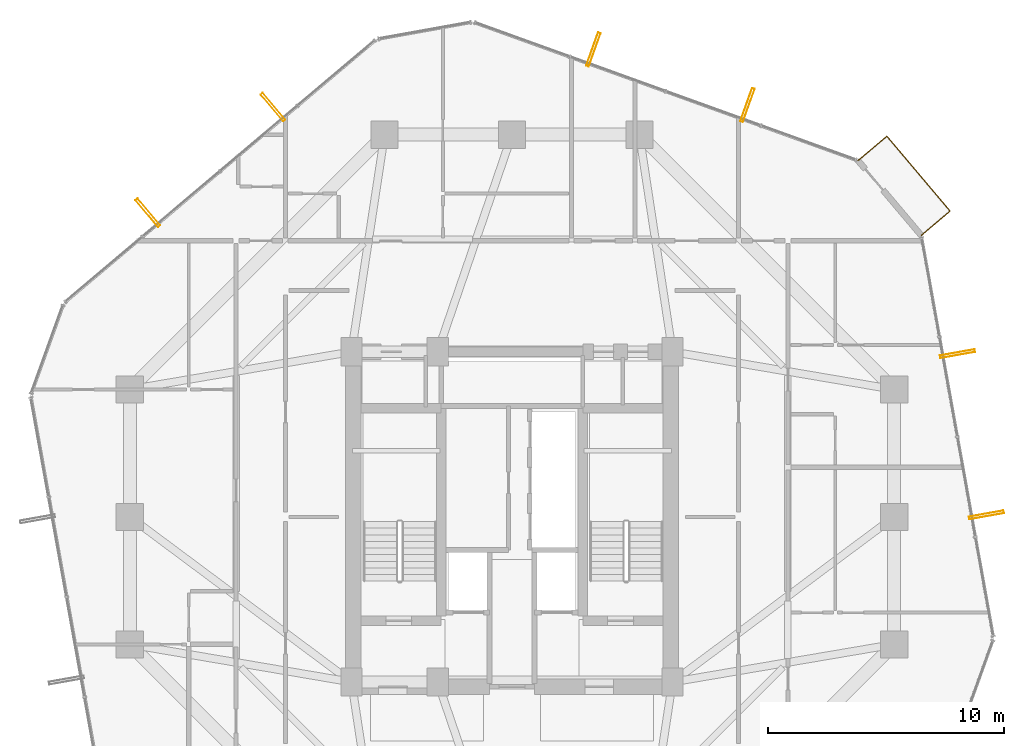
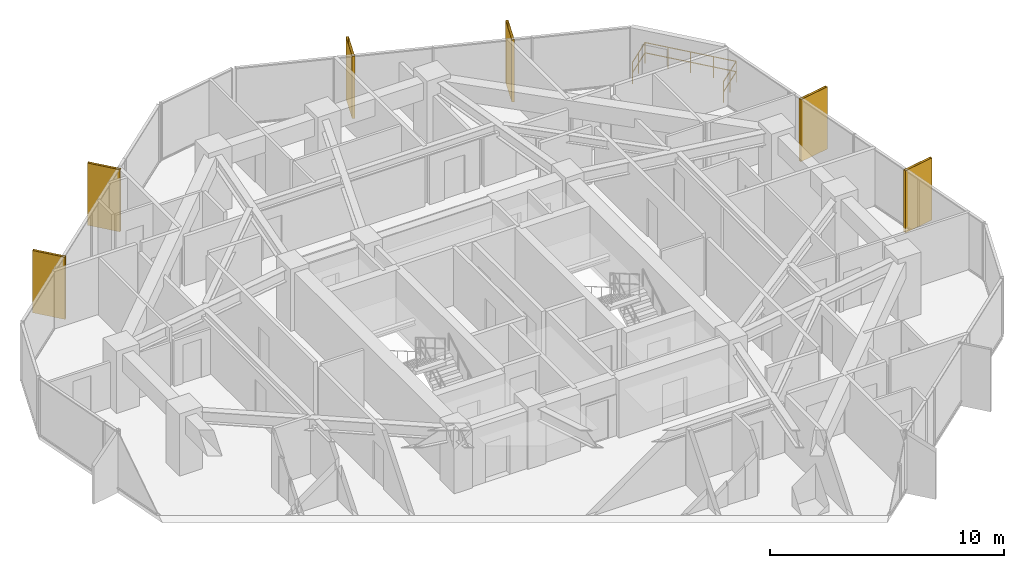
# One storey, part 36 of 36: 6 shading devices, 1 railing.
"""IFC4 building model written with IfcOpenShell, lengths in metres."""

from ifc_helpers import new_model, si_unit, direction, frame, origin, origin_2d, place, context, subcontext, project, spatial, hollow_rectangle, circle, extrude, material, material_profile, profile_set, type_object, element, save


model = new_model("IFC4")

# Units and contexts
model_context = context("Model", 3, precision=1e-05, world=origin(), true_north=direction((0.0, 1.0)))
body_context = subcontext(model_context, "Body", "Model", "MODEL_VIEW")
ifc_project = project(units=[si_unit("LENGTHUNIT", "METRE"), si_unit("AREAUNIT", "SQUARE_METRE"), si_unit("VOLUMEUNIT", "CUBIC_METRE"), si_unit("PLANEANGLEUNIT", "RADIAN"), si_unit("MASSUNIT", "GRAM", prefix="KILO")], contexts=[model_context])

# Site, building, storey
site_placement = place(None, origin())
site = spatial("IfcSite", under=ifc_project, at=site_placement, CompositionType="ELEMENT")
building_placement = place(site_placement, origin())
building = spatial("IfcBuilding", under=site, at=building_placement, Name="Veraguas Prism Commons", CompositionType="ELEMENT")
storey_placement = place(building_placement, frame((0.0, 0.0, 163.050048828125)))
storey = spatial("IfcBuildingStorey", under=building, at=storey_placement, Name="L46", CompositionType="ELEMENT", Elevation=163.050048828125)

# Shading devices
ifc_material_1 = material(Name="Anodised aluminium EN AW-6063 T6", Category="aluminium")
ifc_material_profile = material_profile(ifc_material_1, hollow_rectangle(XDim=0.1201171875, YDim=1.489990234375, WallThickness=0.006103515625, at=origin_2d()), Name="FIN120X1490X6")
ifc_profile_set = profile_set([ifc_material_profile], Name="Anodised aluminium EN AW-6063 T6")
shading_device_type = type_object("IfcShadingDeviceType", Name="Deep Pale-Metal Vertical Solar Fin 120x1490", PredefinedType="USERDEFINED", material=ifc_profile_set)
for number, where, z_axis, x_axis, name in (
    (1, (33.981201171875, 41.457275390625, -0.22998046875), (0.0, 0.0, 1.0), (-0.940761878011, 0.339067970887, 0.0), "Vertical Pale-Metal Solar Fin L46-F1A"),
    (2, (27.45068359375, 43.81103515625, -0.22998046875), (0.0, 0.0, 1.0), (-0.940761878011, 0.339067970887, 0.0), "Vertical Pale-Metal Solar Fin L46-F1B"),
    (3, (13.872314453125, 41.372802734375, -0.22998046875), (0.0, 0.0, 1.0), (-0.764020163262, -0.645192366763, 0.0), "Vertical Pale-Metal Solar Fin L46-F2A"),
    (4, (8.568603515625, 36.89404296875, -0.22998046875), (0.0, 0.0, 1.0), (-0.764020163262, -0.645192366763, 0.0), "Vertical Pale-Metal Solar Fin L46-F2B"),
    (5, (44.109130859375, 24.08447265625, -0.22998046875), (0.0, 0.0, 1.0), (-0.176739462608, 0.984257670713, 0.0), "Vertical Pale-Metal Solar Fin L46-F6A"),
    (6, (42.882080078125, 30.9169921875, -0.22998046875), (0.0, 0.0, 1.0), (-0.176739462608, 0.984257670713, 0.0), "Vertical Pale-Metal Solar Fin L46-F6B"),
):
    element("IfcShadingDevice", number, at=place(storey_placement, frame(where, z_axis=z_axis, x_axis=x_axis)), inside=storey, type_object=shading_device_type, Name=name, ObjectType="FIN", PredefinedType="USERDEFINED", context=body_context, shape_type="SweptSolid", body=[
        extrude(hollow_rectangle(XDim=0.1201171875, YDim=1.489990234375, WallThickness=0.006103515625, at=origin_2d()), origin(), (0.0, 0.0, 1.0), 3.25),
    ])

# Railing
ifc_material_2 = material(Name="Stainless steel AISI 316", Category="steel")
railing_type = type_object("IfcRailingType", Name="Loggia and Sky Pool Glazed Balustrade 1120", PredefinedType="BALUSTRADE", material=ifc_material_2)
railing_placement = place(storey_placement, frame((41.346923828125, 35.930908203125, 0.0)))
element("IfcRailing", 7, at=railing_placement, inside=storey, type_object=railing_type, Name="Recessed Corner Loggia L46-C1 Guard", PredefinedType="BALUSTRADE", context=body_context, shape_type="SweptSolid", body=[
    extrude(circle(Radius=0.02392578125, at=origin_2d()), frame((0.0, 0.0, 1.09619140625), z_axis=(0.764039945018, 0.645168940989, 0.0), x_axis=(-0.645168940989, 0.764039945018, 0.0)), (0.0, 0.0, 1.0), 1.599853515625),
    extrude(circle(Radius=0.02392578125, at=origin_2d()), frame((0.0, 0.0, 0.56005859375), z_axis=(0.764039945018, 0.645168940989, 0.0), x_axis=(-0.645168940989, 0.764039945018, 0.0)), (0.0, 0.0, 1.0), 1.599853515625),
    extrude(circle(Radius=0.02392578125, at=origin_2d()), frame((1.222412109375, 1.0322265625, 1.09619140625), z_axis=(-0.645206743838, 0.764008022017, 0.0), x_axis=(-0.764008022017, -0.645206743838, 0.0)), (0.0, 0.0, 1.0), 4.1533203125),
    extrude(circle(Radius=0.02392578125, at=origin_2d()), frame((1.222412109375, 1.0322265625, 0.56005859375), z_axis=(-0.645206743838, 0.764008022017, 0.0), x_axis=(-0.764008022017, -0.645206743838, 0.0)), (0.0, 0.0, 1.0), 4.1533203125),
    extrude(circle(Radius=0.02392578125, at=origin_2d()), frame((-1.457275390625, 4.205322265625, 1.09619140625), z_axis=(-0.764039945018, -0.645168940989, 0.0), x_axis=(0.645168940989, -0.764039945018, 0.0)), (0.0, 0.0, 1.0), 1.599853515625),
    extrude(circle(Radius=0.02392578125, at=origin_2d()), frame((-1.457275390625, 4.205322265625, 0.56005859375), z_axis=(-0.764039945018, -0.645168940989, 0.0), x_axis=(0.645168940989, -0.764039945018, 0.0)), (0.0, 0.0, 1.0), 1.599853515625),
    extrude(circle(Radius=0.02099609375, at=origin_2d()), origin(), (0.0, 0.0, 1.0), 1.072021484375),
    extrude(circle(Radius=0.02099609375, at=origin_2d()), frame((0.611328125, 0.51611328125, 0.0)), (0.0, 0.0, 1.0), 1.072021484375),
    extrude(circle(Radius=0.02099609375, at=origin_2d()), frame((1.222412109375, 1.0322265625, 0.0)), (0.0, 0.0, 1.0), 1.072021484375),
    extrude(circle(Radius=0.02099609375, at=origin_2d()), frame((0.552490234375, 1.825439453125, 0.0)), (0.0, 0.0, 1.0), 1.072021484375),
    extrude(circle(Radius=0.02099609375, at=origin_2d()), frame((-0.117431640625, 2.61865234375, 0.0)), (0.0, 0.0, 1.0), 1.072021484375),
    extrude(circle(Radius=0.02099609375, at=origin_2d()), frame((-0.787353515625, 3.412109375, 0.0)), (0.0, 0.0, 1.0), 1.072021484375),
    extrude(circle(Radius=0.02099609375, at=origin_2d()), frame((-1.457275390625, 4.205322265625, 0.0)), (0.0, 0.0, 1.0), 1.072021484375),
    extrude(circle(Radius=0.02099609375, at=origin_2d()), frame((-2.068359375, 3.689208984375, 0.0)), (0.0, 0.0, 1.0), 1.072021484375),
    extrude(circle(Radius=0.02099609375, at=origin_2d()), frame((-2.6796875, 3.173095703125, 0.0)), (0.0, 0.0, 1.0), 1.072021484375),
])

save(model, "model.ifc")
